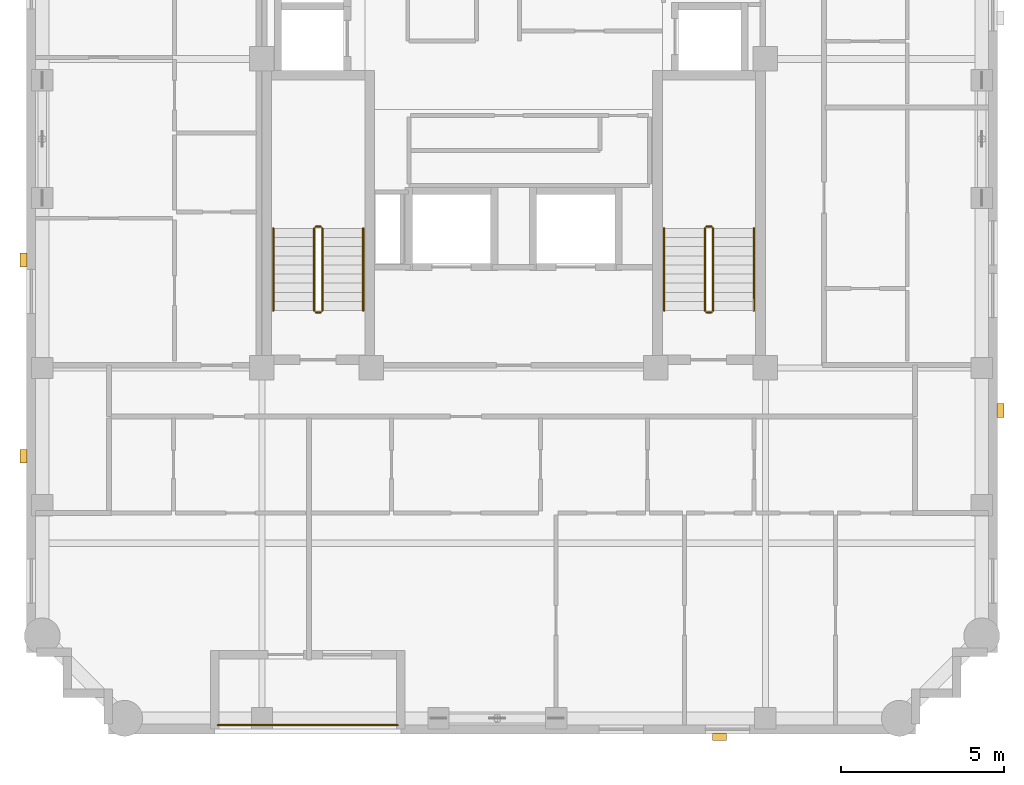
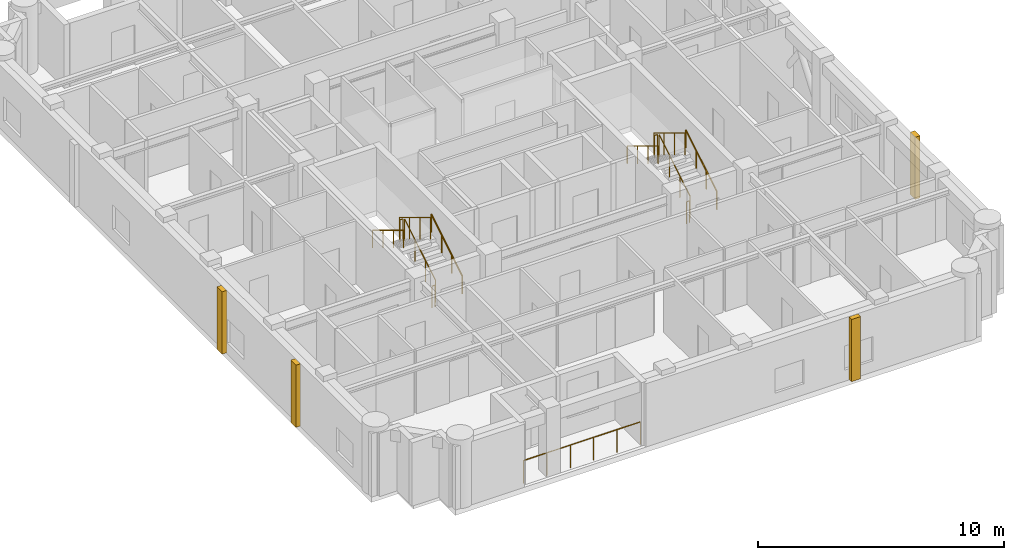
# One storey, part 9 of 10: 13 railings, 4 coverings.
"""IFC4 building model written with IfcOpenShell, lengths in metres."""

from ifc_helpers import new_model, si_unit, derived_unit, direction, frame, origin, origin_2d, place, context, subcontext, project, spatial, rectangle, circle, extrude, material, layer, layer_set, type_object, element, save


model = new_model("IFC4")

# Units and contexts
model_context = context("Model", 3, precision=1e-05, world=origin(), true_north=direction((0.0, 1.0)))
body_context = subcontext(model_context, "Body", "Model", "MODEL_VIEW")
ifc_project = project(units=[si_unit("LENGTHUNIT", "METRE"), si_unit("AREAUNIT", "SQUARE_METRE"), si_unit("VOLUMEUNIT", "CUBIC_METRE"), si_unit("PLANEANGLEUNIT", "RADIAN"), si_unit("MASSUNIT", "GRAM", prefix="KILO"), derived_unit("THERMALTRANSMITTANCEUNIT", [(si_unit("MASSUNIT", "GRAM", prefix="KILO"), 1), (si_unit("TIMEUNIT", "SECOND"), -3), (si_unit("THERMODYNAMICTEMPERATUREUNIT", "KELVIN"), -1)])], contexts=[model_context])

# Site, building, storey
site_placement = place(None, origin())
site = spatial("IfcSite", under=ifc_project, at=site_placement, CompositionType="ELEMENT")
building_placement = place(site_placement, origin())
building = spatial("IfcBuilding", under=site, at=building_placement, Name="Korrvale Station Residences", CompositionType="ELEMENT")
storey_placement = place(building_placement, frame((0.0, 0.0, 220.699951171875)))
storey = spatial("IfcBuildingStorey", under=building, at=storey_placement, Name="L64", CompositionType="ELEMENT", Elevation=220.699951171875)

# Coverings
ifc_material_1 = material(Name="Architectural precast concrete C45/55", Category="concrete")
ifc_layer = layer(ifc_material_1, 0.219970703125, Name="Architectural precast concrete C45/55")
ifc_layer_set = layer_set([ifc_layer], Name="Architectural precast concrete C45/55")
covering_type = type_object("IfcCoveringType", Name="COV-PIER-400", PredefinedType="CLADDING", material=ifc_layer_set)
for number, where, z_axis, x_axis, name in (
    (1, (31.800048828125, 3.7099609375, 0.02490234375), (0.0, 0.0, 1.0), (1.0, 0.0, 0.0), "L64 Architectural Precast Facade Pier 01"),
    (2, (10.510009765625, 12.300048828125, 0.02490234375), (0.0, 0.0, 1.0), (0.0, 1.0, 0.0), "L64 Architectural Precast Facade Pier 02"),
    (3, (10.510009765625, 18.300048828125, 0.02490234375), (0.0, 0.0, 1.0), (0.0, 1.0, 0.0), "L64 Architectural Precast Facade Pier 03"),
    (4, (40.389892578125, 13.699951171875, 0.02490234375), (0.0, 0.0, 1.0), (0.0, 1.0, 0.0), "L64 Architectural Precast Facade Pier 07"),
):
    element("IfcCovering", number, at=place(storey_placement, frame(where, z_axis=z_axis, x_axis=x_axis)), inside=storey, type_object=covering_type, Name=name, PredefinedType="CLADDING", context=body_context, shape_type="SweptSolid", body=[
        extrude(rectangle(XDim=0.419921875, YDim=0.219970703125, at=origin_2d()), origin(), (0.0, 0.0, 1.0), 3.090087890625),
    ])

# Railings
ifc_material_2 = material(Name="Powder-coated aluminium picket loggia guard", Category="aluminium")
railing_type_1 = type_object("IfcRailingType", Name="RLG-BAL-1150", PredefinedType="GUARDRAIL", material=ifc_material_2)
railing_1_placement = place(storey_placement, frame((16.449951171875, 4.070068359375, 0.0)))
element("IfcRailing", 5, at=railing_1_placement, inside=storey, type_object=railing_type_1, Name="L64 Recessed Loggia Guardrail BAL-L64-S1", PredefinedType="GUARDRAIL", context=body_context, shape_type="SweptSolid", body=[
    extrude(circle(Radius=0.02392578125, at=origin_2d()), frame((0.0, 0.0, 1.1259765625), z_axis=(1.0, 0.0, 0.0), x_axis=(0.0, 1.0, 0.0)), (0.0, 0.0, 1.0), 5.5),
    extrude(circle(Radius=0.02099609375, at=origin_2d()), origin(), (0.0, 0.0, 1.0), 1.101806640625),
    extrude(circle(Radius=0.02099609375, at=origin_2d()), frame((1.10009765625, 0.0, 0.0)), (0.0, 0.0, 1.0), 1.101806640625),
    extrude(circle(Radius=0.02099609375, at=origin_2d()), frame((2.199951171875, 0.0, 0.0)), (0.0, 0.0, 1.0), 1.101806640625),
    extrude(circle(Radius=0.02099609375, at=origin_2d()), frame((3.300048828125, 0.0, 0.0)), (0.0, 0.0, 1.0), 1.101806640625),
    extrude(circle(Radius=0.02099609375, at=origin_2d()), frame((4.39990234375, 0.0, 0.0)), (0.0, 0.0, 1.0), 1.101806640625),
    extrude(circle(Radius=0.02099609375, at=origin_2d()), frame((5.5, 0.0, 0.0)), (0.0, 0.0, 1.0), 1.101806640625),
])
ifc_material_3 = material(Name="Brushed stainless-steel continuous stair handrail", Category="steel")
railing_type_2 = type_object("IfcRailingType", Name="RLG-SHND-900", PredefinedType="HANDRAIL", material=ifc_material_3)
railing_2_placement = place(storey_placement, frame((20.89990234375, 16.75, 0.170166015625)))
element("IfcRailing", 6, at=railing_2_placement, inside=storey, type_object=railing_type_2, Name="L64 ST-1 stair handrail 1", PredefinedType="HANDRAIL", context=body_context, shape_type="SweptSolid", body=[
    extrude(circle(Radius=0.02392578125, at=origin_2d()), frame((0.0, 0.0, 0.8759765625), z_axis=(0.0, 0.854821627497, 0.518921945155), x_axis=(-1.0, 0.0, 0.0)), (0.0, 0.0, 1.0), 2.947998046875),
    extrude(circle(Radius=0.02099609375, at=origin_2d()), origin(), (0.0, 0.0, 1.0), 0.851806640625),
    extrude(circle(Radius=0.02099609375, at=origin_2d()), frame((0.0, 0.840087890625, 0.510009765625)), (0.0, 0.0, 1.0), 0.851806640625),
    extrude(circle(Radius=0.02099609375, at=origin_2d()), frame((0.0, 1.679931640625, 1.019775390625)), (0.0, 0.0, 1.0), 0.851806640625),
    extrude(circle(Radius=0.02099609375, at=origin_2d()), frame((0.0, 2.52001953125, 1.52978515625)), (0.0, 0.0, 1.0), 0.851806640625),
])
railing_3_placement = place(storey_placement, frame((18.14990234375, 19.27001953125, 1.8701171875)))
element("IfcRailing", 7, at=railing_3_placement, inside=storey, type_object=railing_type_2, Name="L64 ST-1 stair handrail 2", PredefinedType="HANDRAIL", context=body_context, shape_type="SweptSolid", body=[
    extrude(circle(Radius=0.02392578125, at=origin_2d()), frame((0.0, 0.0, 0.8759765625), z_axis=(0.0, -0.85478489116, 0.518982456201), x_axis=(1.0, 0.0, 0.0)), (0.0, 0.0, 1.0), 2.9482421875),
    extrude(circle(Radius=0.02099609375, at=origin_2d()), origin(), (0.0, 0.0, 1.0), 0.851806640625),
    extrude(circle(Radius=0.02099609375, at=origin_2d()), frame((0.0, -0.840087890625, 0.510009765625)), (0.0, 0.0, 1.0), 0.851806640625),
    extrude(circle(Radius=0.02099609375, at=origin_2d()), frame((0.0, -1.679931640625, 1.02001953125)), (0.0, 0.0, 1.0), 0.851806640625),
    extrude(circle(Radius=0.02099609375, at=origin_2d()), frame((0.0, -2.52001953125, 1.530029296875)), (0.0, 0.0, 1.0), 0.851806640625),
])
railing_4_placement = place(storey_placement, frame((32.85009765625, 16.75, 0.170166015625)))
element("IfcRailing", 8, at=railing_4_placement, inside=storey, type_object=railing_type_2, Name="L64 ST-2 stair handrail 1", PredefinedType="HANDRAIL", context=body_context, shape_type="SweptSolid", body=[
    extrude(circle(Radius=0.02392578125, at=origin_2d()), frame((0.0, 0.0, 0.8759765625), z_axis=(0.0, 0.854821627497, 0.518921945155), x_axis=(-1.0, 0.0, 0.0)), (0.0, 0.0, 1.0), 2.947998046875),
    extrude(circle(Radius=0.02099609375, at=origin_2d()), origin(), (0.0, 0.0, 1.0), 0.851806640625),
    extrude(circle(Radius=0.02099609375, at=origin_2d()), frame((0.0, 0.840087890625, 0.510009765625)), (0.0, 0.0, 1.0), 0.851806640625),
    extrude(circle(Radius=0.02099609375, at=origin_2d()), frame((0.0, 1.679931640625, 1.019775390625)), (0.0, 0.0, 1.0), 0.851806640625),
    extrude(circle(Radius=0.02099609375, at=origin_2d()), frame((0.0, 2.52001953125, 1.52978515625)), (0.0, 0.0, 1.0), 0.851806640625),
])
railing_5_placement = place(storey_placement, frame((30.10009765625, 19.27001953125, 1.8701171875)))
element("IfcRailing", 9, at=railing_5_placement, inside=storey, type_object=railing_type_2, Name="L64 ST-2 stair handrail 2", PredefinedType="HANDRAIL", context=body_context, shape_type="SweptSolid", body=[
    extrude(circle(Radius=0.02392578125, at=origin_2d()), frame((0.0, 0.0, 0.8759765625), z_axis=(0.0, -0.85478489116, 0.518982456201), x_axis=(1.0, 0.0, 0.0)), (0.0, 0.0, 1.0), 2.9482421875),
    extrude(circle(Radius=0.02099609375, at=origin_2d()), origin(), (0.0, 0.0, 1.0), 0.851806640625),
    extrude(circle(Radius=0.02099609375, at=origin_2d()), frame((0.0, -0.840087890625, 0.510009765625)), (0.0, 0.0, 1.0), 0.851806640625),
    extrude(circle(Radius=0.02099609375, at=origin_2d()), frame((0.0, -1.679931640625, 1.02001953125)), (0.0, 0.0, 1.0), 0.851806640625),
    extrude(circle(Radius=0.02099609375, at=origin_2d()), frame((0.0, -2.52001953125, 1.530029296875)), (0.0, 0.0, 1.0), 0.851806640625),
])
ifc_material_4 = material(Name="Galvanised painted tubular steel stair guard", Category="steel")
railing_type_3 = type_object("IfcRailingType", Name="RLG-STR-1100", PredefinedType="GUARDRAIL", material=ifc_material_4)
railing_6_placement = place(storey_placement, frame((19.64990234375, 16.75, 0.170166015625)))
element("IfcRailing", 10, at=railing_6_placement, inside=storey, type_object=railing_type_3, Name="L64 ST-1 stair guard 1", PredefinedType="GUARDRAIL", context=body_context, shape_type="SweptSolid", body=[
    extrude(circle(Radius=0.02392578125, at=origin_2d()), frame((0.0, 0.0, 1.076171875), z_axis=(0.0, 0.854821627497, 0.518921945155), x_axis=(-1.0, 0.0, 0.0)), (0.0, 0.0, 1.0), 2.947998046875),
    extrude(circle(Radius=0.02099609375, at=origin_2d()), origin(), (0.0, 0.0, 1.0), 1.052001953125),
    extrude(circle(Radius=0.02099609375, at=origin_2d()), frame((0.0, 0.840087890625, 0.510009765625)), (0.0, 0.0, 1.0), 1.052001953125),
    extrude(circle(Radius=0.02099609375, at=origin_2d()), frame((0.0, 1.679931640625, 1.019775390625)), (0.0, 0.0, 1.0), 1.052001953125),
    extrude(circle(Radius=0.02099609375, at=origin_2d()), frame((0.0, 2.52001953125, 1.52978515625)), (0.0, 0.0, 1.0), 1.052001953125),
])
railing_7_placement = place(storey_placement, frame((19.60009765625, 19.320068359375, 1.699951171875)))
element("IfcRailing", 11, at=railing_7_placement, inside=storey, type_object=railing_type_3, Name="L64 ST-1 stair guard 2", PredefinedType="GUARDRAIL", context=body_context, shape_type="SweptSolid", body=[
    extrude(circle(Radius=0.02392578125, at=origin_2d()), frame((0.0, 0.0, 1.076171875), z_axis=(-1.0, 0.0, 0.0), x_axis=(0.0, -1.0, 0.0)), (0.0, 0.0, 1.0), 0.150146484375),
    extrude(circle(Radius=0.02099609375, at=origin_2d()), origin(), (0.0, 0.0, 1.0), 1.052001953125),
    extrude(circle(Radius=0.02099609375, at=origin_2d()), frame((-0.150146484375, 0.0, 0.0)), (0.0, 0.0, 1.0), 1.052001953125),
])
railing_8_placement = place(storey_placement, frame((19.39990234375, 19.27001953125, 1.8701171875)))
element("IfcRailing", 12, at=railing_8_placement, inside=storey, type_object=railing_type_3, Name="L64 ST-1 stair guard 3", PredefinedType="GUARDRAIL", context=body_context, shape_type="SweptSolid", body=[
    extrude(circle(Radius=0.02392578125, at=origin_2d()), frame((0.0, 0.0, 1.076171875), z_axis=(0.0, -0.85478489116, 0.518982456201), x_axis=(1.0, 0.0, 0.0)), (0.0, 0.0, 1.0), 2.9482421875),
    extrude(circle(Radius=0.02099609375, at=origin_2d()), origin(), (0.0, 0.0, 1.0), 1.052001953125),
    extrude(circle(Radius=0.02099609375, at=origin_2d()), frame((0.0, -0.840087890625, 0.510009765625)), (0.0, 0.0, 1.0), 1.052001953125),
    extrude(circle(Radius=0.02099609375, at=origin_2d()), frame((0.0, -1.679931640625, 1.02001953125)), (0.0, 0.0, 1.0), 1.052001953125),
    extrude(circle(Radius=0.02099609375, at=origin_2d()), frame((0.0, -2.52001953125, 1.530029296875)), (0.0, 0.0, 1.0), 1.052001953125),
])
railing_9_placement = place(storey_placement, frame((19.60009765625, 16.699951171875, 0.0)))
element("IfcRailing", 13, at=railing_9_placement, inside=storey, type_object=railing_type_3, Name="L64 ST-1 stair guard 4", PredefinedType="GUARDRAIL", context=body_context, shape_type="SweptSolid", body=[
    extrude(circle(Radius=0.02392578125, at=origin_2d()), frame((0.0, 0.0, 1.076171875), z_axis=(-1.0, 0.0, 0.0), x_axis=(0.0, -1.0, 0.0)), (0.0, 0.0, 1.0), 0.150146484375),
    extrude(circle(Radius=0.02099609375, at=origin_2d()), origin(), (0.0, 0.0, 1.0), 1.052001953125),
    extrude(circle(Radius=0.02099609375, at=origin_2d()), frame((-0.150146484375, 0.0, 0.0)), (0.0, 0.0, 1.0), 1.052001953125),
])
railing_10_placement = place(storey_placement, frame((31.60009765625, 16.75, 0.170166015625)))
element("IfcRailing", 14, at=railing_10_placement, inside=storey, type_object=railing_type_3, Name="L64 ST-2 stair guard 1", PredefinedType="GUARDRAIL", context=body_context, shape_type="SweptSolid", body=[
    extrude(circle(Radius=0.02392578125, at=origin_2d()), frame((0.0, 0.0, 1.076171875), z_axis=(0.0, 0.854821627497, 0.518921945155), x_axis=(-1.0, 0.0, 0.0)), (0.0, 0.0, 1.0), 2.947998046875),
    extrude(circle(Radius=0.02099609375, at=origin_2d()), origin(), (0.0, 0.0, 1.0), 1.052001953125),
    extrude(circle(Radius=0.02099609375, at=origin_2d()), frame((0.0, 0.840087890625, 0.510009765625)), (0.0, 0.0, 1.0), 1.052001953125),
    extrude(circle(Radius=0.02099609375, at=origin_2d()), frame((0.0, 1.679931640625, 1.019775390625)), (0.0, 0.0, 1.0), 1.052001953125),
    extrude(circle(Radius=0.02099609375, at=origin_2d()), frame((0.0, 2.52001953125, 1.52978515625)), (0.0, 0.0, 1.0), 1.052001953125),
])
railing_11_placement = place(storey_placement, frame((31.550048828125, 19.320068359375, 1.699951171875)))
element("IfcRailing", 15, at=railing_11_placement, inside=storey, type_object=railing_type_3, Name="L64 ST-2 stair guard 2", PredefinedType="GUARDRAIL", context=body_context, shape_type="SweptSolid", body=[
    extrude(circle(Radius=0.02392578125, at=origin_2d()), frame((0.0, 0.0, 1.076171875), z_axis=(-1.0, 0.0, 0.0), x_axis=(0.0, -1.0, 0.0)), (0.0, 0.0, 1.0), 0.150146484375),
    extrude(circle(Radius=0.02099609375, at=origin_2d()), origin(), (0.0, 0.0, 1.0), 1.052001953125),
    extrude(circle(Radius=0.02099609375, at=origin_2d()), frame((-0.150146484375, 0.0, 0.0)), (0.0, 0.0, 1.0), 1.052001953125),
])
railing_12_placement = place(storey_placement, frame((31.35009765625, 19.27001953125, 1.8701171875)))
element("IfcRailing", 16, at=railing_12_placement, inside=storey, type_object=railing_type_3, Name="L64 ST-2 stair guard 3", PredefinedType="GUARDRAIL", context=body_context, shape_type="SweptSolid", body=[
    extrude(circle(Radius=0.02392578125, at=origin_2d()), frame((0.0, 0.0, 1.076171875), z_axis=(0.0, -0.85478489116, 0.518982456201), x_axis=(1.0, 0.0, 0.0)), (0.0, 0.0, 1.0), 2.9482421875),
    extrude(circle(Radius=0.02099609375, at=origin_2d()), origin(), (0.0, 0.0, 1.0), 1.052001953125),
    extrude(circle(Radius=0.02099609375, at=origin_2d()), frame((0.0, -0.840087890625, 0.510009765625)), (0.0, 0.0, 1.0), 1.052001953125),
    extrude(circle(Radius=0.02099609375, at=origin_2d()), frame((0.0, -1.679931640625, 1.02001953125)), (0.0, 0.0, 1.0), 1.052001953125),
    extrude(circle(Radius=0.02099609375, at=origin_2d()), frame((0.0, -2.52001953125, 1.530029296875)), (0.0, 0.0, 1.0), 1.052001953125),
])
railing_13_placement = place(storey_placement, frame((31.550048828125, 16.699951171875, 0.0)))
element("IfcRailing", 17, at=railing_13_placement, inside=storey, type_object=railing_type_3, Name="L64 ST-2 stair guard 4", PredefinedType="GUARDRAIL", context=body_context, shape_type="SweptSolid", body=[
    extrude(circle(Radius=0.02392578125, at=origin_2d()), frame((0.0, 0.0, 1.076171875), z_axis=(-1.0, 0.0, 0.0), x_axis=(0.0, -1.0, 0.0)), (0.0, 0.0, 1.0), 0.150146484375),
    extrude(circle(Radius=0.02099609375, at=origin_2d()), origin(), (0.0, 0.0, 1.0), 1.052001953125),
    extrude(circle(Radius=0.02099609375, at=origin_2d()), frame((-0.150146484375, 0.0, 0.0)), (0.0, 0.0, 1.0), 1.052001953125),
])

save(model, "model.ifc")
